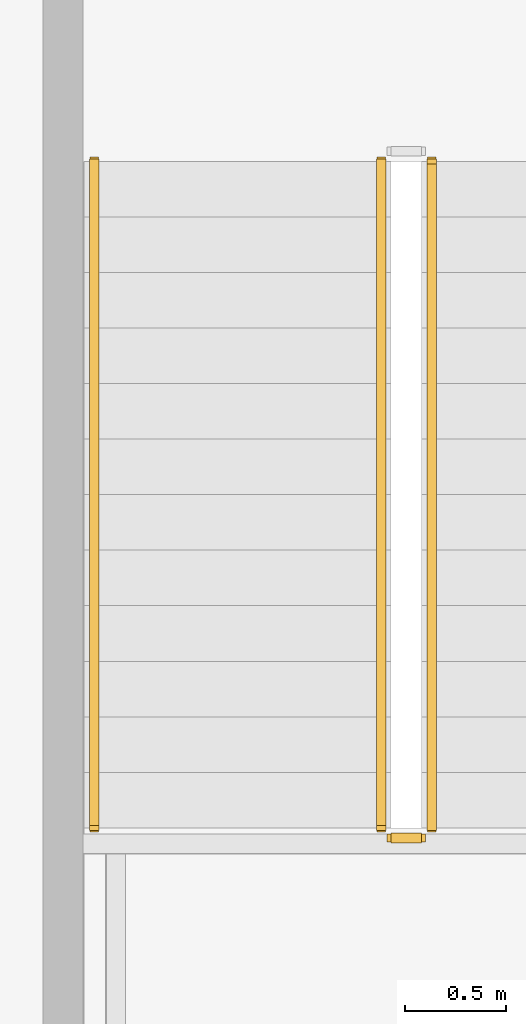
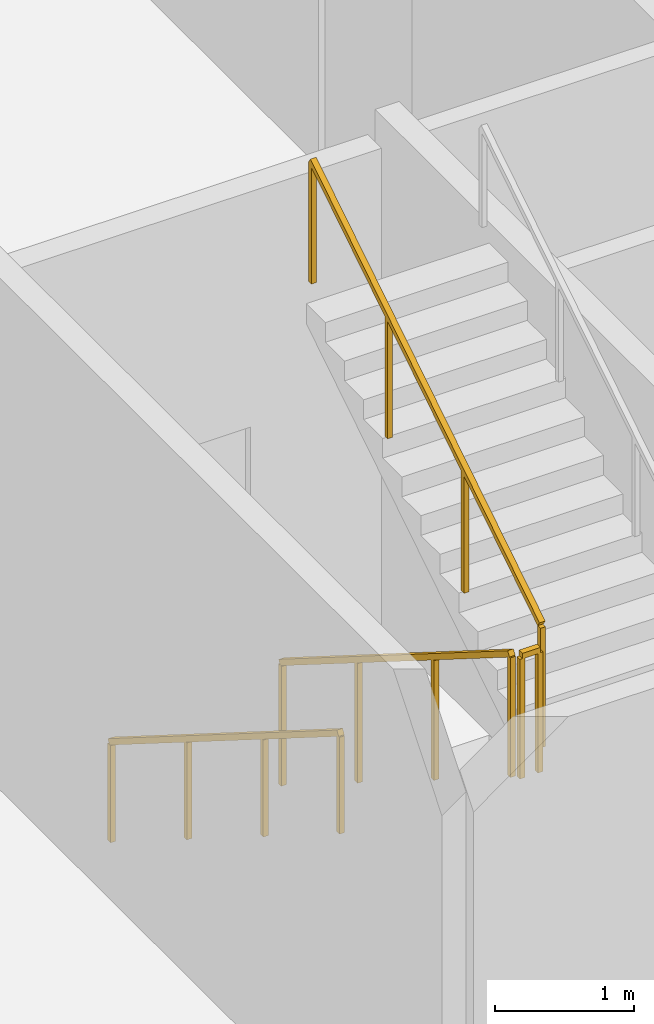
# One storey, part 13 of 18: 4 railings.
"""IFC4 building model written with IfcOpenShell, lengths in metres."""

from ifc_helpers import new_model, si_unit, direction, frame, origin, origin_2d, place, context, subcontext, project, spatial, rectangle, extrude, material, type_object, element, save


model = new_model("IFC4")

# Units and contexts
model_context = context("Model", 3, precision=1e-05, world=origin(), true_north=direction((0.0, 1.0)))
body_context = subcontext(model_context, "Body", "Model", "MODEL_VIEW")
ifc_project = project(units=[si_unit("LENGTHUNIT", "METRE"), si_unit("AREAUNIT", "SQUARE_METRE"), si_unit("VOLUMEUNIT", "CUBIC_METRE"), si_unit("PLANEANGLEUNIT", "RADIAN"), si_unit("MASSUNIT", "GRAM", prefix="KILO")], contexts=[model_context])

# Site, building, storey
site_placement = place(None, origin())
site = spatial("IfcSite", under=ifc_project, at=site_placement, CompositionType="ELEMENT")
building_placement = place(site_placement, origin())
building = spatial("IfcBuilding", under=site, at=building_placement, Name="Cinnabar Lancet Tower", CompositionType="ELEMENT")
storey_placement = place(building_placement, frame((0.0, 0.0, 15.0)))
storey = spatial("IfcBuildingStorey", under=building, at=storey_placement, Name="L03", CompositionType="ELEMENT", Elevation=15.0)

# Railings
ifc_material_1 = material(Name="Painted galvanized steel balustrade", Category="steel")
railing_type_1 = type_object("IfcRailingType", Name="GUARD-STAIR", PredefinedType="GUARDRAIL", material=ifc_material_1)
railing_1_placement = place(storey_placement, frame((15.695068359375, 16.14990234375, 0.173095703125)))
element("IfcRailing", 1, at=railing_1_placement, inside=storey, type_object=railing_type_1, Name="L03 ST-3 stair guard 1", PredefinedType="GUARDRAIL", context=body_context, shape_type="SweptSolid", body=[
    extrude(rectangle(XDim=0.048095703125, YDim=0.048095703125, at=origin_2d()), frame((0.0, 0.0, 1.076171875), z_axis=(0.0, -0.846319618018, 0.532675421018), x_axis=(1.0, 0.0, 0.0)), (0.0, 0.0, 1.0), 3.89892578125),
    extrude(rectangle(XDim=0.0419921875, YDim=0.0419921875, at=origin_2d()), origin(), (0.0, 0.0, 1.0), 1.052001953125),
    extrude(rectangle(XDim=0.0419921875, YDim=0.0419921875, at=origin_2d()), frame((0.0, -1.099853515625, 0.6923828125)), (0.0, 0.0, 1.0), 1.052001953125),
    extrude(rectangle(XDim=0.0419921875, YDim=0.0419921875, at=origin_2d()), frame((0.0, -2.199951171875, 1.384521484375)), (0.0, 0.0, 1.0), 1.052001953125),
    extrude(rectangle(XDim=0.0419921875, YDim=0.0419921875, at=origin_2d()), frame((0.0, -3.2998046875, 2.076904296875)), (0.0, 0.0, 1.0), 1.052001953125),
])
railing_2_placement = place(storey_placement, frame((15.7451171875, 12.800048828125, 2.25)))
element("IfcRailing", 2, at=railing_2_placement, inside=storey, type_object=railing_type_1, Name="L03 ST-3 stair guard 2", PredefinedType="GUARDRAIL", context=body_context, shape_type="SweptSolid", body=[
    extrude(rectangle(XDim=0.048095703125, YDim=0.048095703125, at=origin_2d()), frame((0.0, 0.0, 1.076171875), z_axis=(1.0, 0.0, 0.0), x_axis=(0.0, 1.0, 0.0)), (0.0, 0.0, 1.0), 0.14990234375),
    extrude(rectangle(XDim=0.0419921875, YDim=0.0419921875, at=origin_2d()), origin(), (0.0, 0.0, 1.0), 1.052001953125),
    extrude(rectangle(XDim=0.0419921875, YDim=0.0419921875, at=origin_2d()), frame((0.14990234375, 0.0, 0.0)), (0.0, 0.0, 1.0), 1.052001953125),
])
railing_3_placement = place(storey_placement, frame((15.945068359375, 12.85009765625, 2.423095703125)))
element("IfcRailing", 3, at=railing_3_placement, inside=storey, type_object=railing_type_1, Name="L03 ST-3 stair guard 3", PredefinedType="GUARDRAIL", context=body_context, shape_type="SweptSolid", body=[
    extrude(rectangle(XDim=0.048095703125, YDim=0.048095703125, at=origin_2d()), frame((0.0, 0.0, 1.076171875), z_axis=(0.0, 0.846319618018, 0.532675421018), x_axis=(-1.0, 0.0, 0.0)), (0.0, 0.0, 1.0), 3.89892578125),
    extrude(rectangle(XDim=0.0419921875, YDim=0.0419921875, at=origin_2d()), origin(), (0.0, 0.0, 1.0), 1.052001953125),
    extrude(rectangle(XDim=0.0419921875, YDim=0.0419921875, at=origin_2d()), frame((0.0, 1.099853515625, 0.6923828125)), (0.0, 0.0, 1.0), 1.052001953125),
    extrude(rectangle(XDim=0.0419921875, YDim=0.0419921875, at=origin_2d()), frame((0.0, 2.199951171875, 1.384521484375)), (0.0, 0.0, 1.0), 1.052001953125),
    extrude(rectangle(XDim=0.0419921875, YDim=0.0419921875, at=origin_2d()), frame((0.0, 3.2998046875, 2.076904296875)), (0.0, 0.0, 1.0), 1.052001953125),
])
ifc_material_2 = material(Name="Brushed stainless steel handrail", Category="steel")
railing_type_2 = type_object("IfcRailingType", Name="HANDRAIL-STAIR", PredefinedType="HANDRAIL", material=ifc_material_2)
railing_4_placement = place(storey_placement, frame((14.27490234375, 16.14990234375, 0.173095703125)))
element("IfcRailing", 4, at=railing_4_placement, inside=storey, type_object=railing_type_2, Name="L03 ST-3 stair handrail 1", PredefinedType="HANDRAIL", context=body_context, shape_type="SweptSolid", body=[
    extrude(rectangle(XDim=0.048095703125, YDim=0.048095703125, at=origin_2d()), frame((0.0, 0.0, 0.8759765625), z_axis=(0.0, -0.846319618018, 0.532675421018), x_axis=(1.0, 0.0, 0.0)), (0.0, 0.0, 1.0), 3.89892578125),
    extrude(rectangle(XDim=0.0419921875, YDim=0.0419921875, at=origin_2d()), origin(), (0.0, 0.0, 1.0), 0.851806640625),
    extrude(rectangle(XDim=0.0419921875, YDim=0.0419921875, at=origin_2d()), frame((0.0, -1.099853515625, 0.6923828125)), (0.0, 0.0, 1.0), 0.851806640625),
    extrude(rectangle(XDim=0.0419921875, YDim=0.0419921875, at=origin_2d()), frame((0.0, -2.199951171875, 1.384521484375)), (0.0, 0.0, 1.0), 0.851806640625),
    extrude(rectangle(XDim=0.0419921875, YDim=0.0419921875, at=origin_2d()), frame((0.0, -3.2998046875, 2.076904296875)), (0.0, 0.0, 1.0), 0.851806640625),
])

save(model, "model.ifc")
